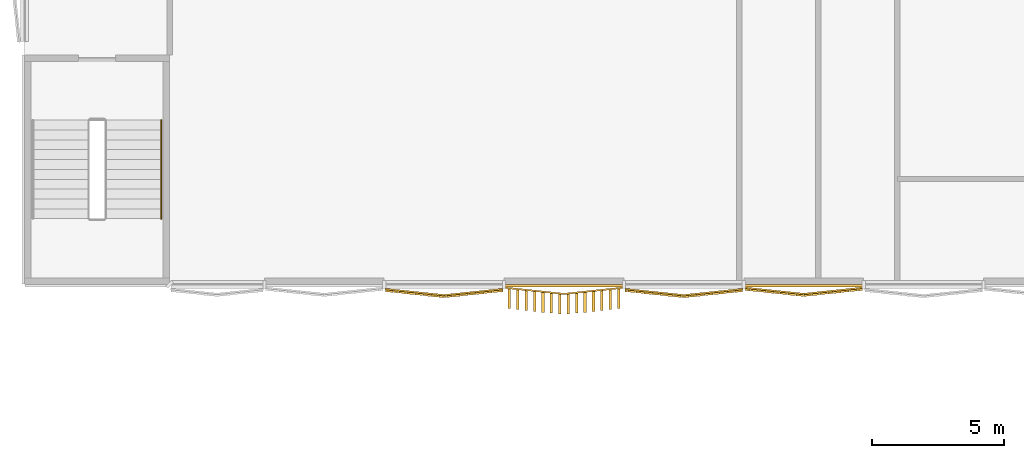
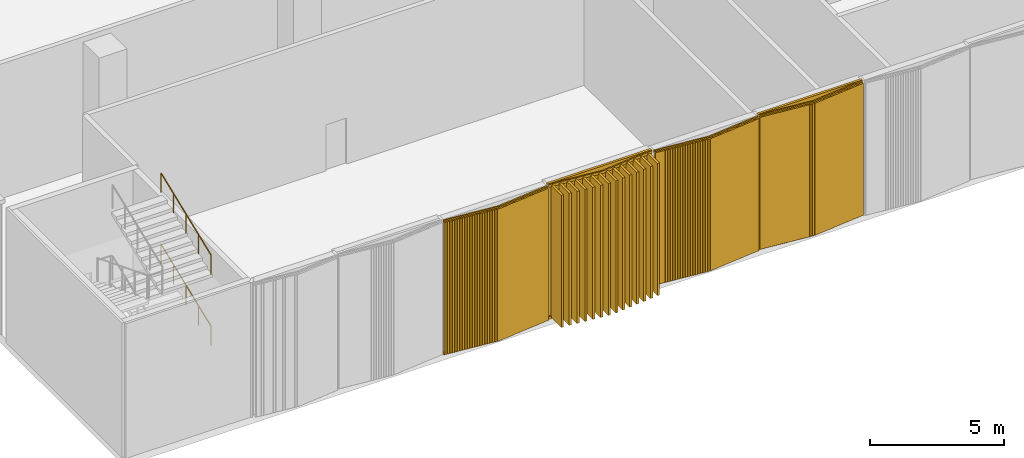
# One storey, part 21 of 32: 6 coverings, 2 railings.
"""IFC4 building model written with IfcOpenShell, lengths in metres."""

from ifc_helpers import new_model, si_unit, direction, frame, frame_2d, origin, origin_2d, place, context, subcontext, project, spatial, rectangle, circle, extrude, source, transform, mapped, material, layer, layer_set, type_object, element, save


model = new_model("IFC4")

# Units and contexts
model_context = context("Model", 3, precision=1e-05, world=origin(), true_north=direction((0.0, 1.0)))
body_context = subcontext(model_context, "Body", "Model", "MODEL_VIEW")
ifc_project = project(units=[si_unit("LENGTHUNIT", "METRE"), si_unit("AREAUNIT", "SQUARE_METRE"), si_unit("VOLUMEUNIT", "CUBIC_METRE"), si_unit("PLANEANGLEUNIT", "RADIAN"), si_unit("MASSUNIT", "GRAM", prefix="KILO")], contexts=[model_context])

# Site, building, storey
site_placement = place(None, origin())
site = spatial("IfcSite", under=ifc_project, at=site_placement, CompositionType="ELEMENT")
building_placement = place(site_placement, origin())
building = spatial("IfcBuilding", under=site, at=building_placement, Name="Tamra Quay Hotel Tower", CompositionType="ELEMENT")
storey_placement = place(building_placement, frame((0.0, 0.0, 7.5)))
storey = spatial("IfcBuildingStorey", under=building, at=storey_placement, Name="L01", CompositionType="ELEMENT", Elevation=7.5)

# Coverings
ifc_material_1 = material(Name="Precast concrete M60 terracotta-coloured pierced relief", Category="masonry")
ifc_layer = layer(ifc_material_1, 0.10009765625)
ifc_layer_set = layer_set([ifc_layer], Name="PIERCED RELIEF PANEL 100")
covering_type_1 = type_object("IfcCoveringType", Name="PIERCED RELIEF PANEL 100", PredefinedType="CLADDING", material=ifc_layer_set)
for number, where, z_axis, x_axis, name in (
    (1, (-68.642333984375, -32.050048828125, 0.0), (0.0, 0.0, 1.0), (1.0, 0.0, 0.0), "Relief panel L01.SW.14"),
    (2, (-59.550048828125, -32.050048828125, 0.0), (0.0, 0.0, 1.0), (1.0, 0.0, 0.0), "Relief panel L01.SW.16"),
):
    element("IfcCovering", number, at=place(storey_placement, frame(where, z_axis=z_axis, x_axis=x_axis)), inside=storey, type_object=covering_type_1, Name=name, PredefinedType="CLADDING", context=body_context, shape_type="SweptSolid", body=[
        extrude(rectangle(XDim=4.526123046875, YDim=0.10009765625, at=origin_2d()), origin(), (0.0, 0.0, 1.0), 6.14990234375),
    ])

# Railings
ifc_material_2 = material(Name="Stair handrail 900")
railing_type = type_object("IfcRailingType", Name="Stair handrail 900", PredefinedType="HANDRAIL", material=ifc_material_2)
for number, where, name in (
    (3, (-83.919921875, -29.510009765625, 1.772705078125), "HR"),
    (4, (-83.919921875, -29.510009765625, 5.022705078125), "HR"),
):
    element("IfcRailing", number, at=place(storey_placement, frame(where)), inside=storey, type_object=railing_type, Name=name, PredefinedType="HANDRAIL", context=body_context, shape_type="SweptSolid", body=[
        extrude(circle(Radius=0.02392578125, at=origin_2d()), frame((0.0, 0.0, 0.8759765625), z_axis=(0.0, 0.930071711533, 0.367378022487), x_axis=(-1.0, 0.0, 0.0)), (0.0, 0.0, 1.0), 4.021240234375),
        extrude(circle(Radius=0.02099609375, at=origin_2d()), origin(), (0.0, 0.0, 1.0), 0.851806640625),
        extrude(circle(Radius=0.02099609375, at=origin_2d()), frame((0.0, 0.93505859375, 0.369384765625)), (0.0, 0.0, 1.0), 0.851806640625),
        extrude(circle(Radius=0.02099609375, at=origin_2d()), frame((0.0, 1.8701171875, 0.73876953125)), (0.0, 0.0, 1.0), 0.851806640625),
        extrude(circle(Radius=0.02099609375, at=origin_2d()), frame((0.0, 2.804931640625, 1.10791015625)), (0.0, 0.0, 1.0), 0.851806640625),
        extrude(circle(Radius=0.02099609375, at=origin_2d()), frame((0.0, 3.739990234375, 1.477294921875)), (0.0, 0.0, 1.0), 0.851806640625),
    ])

# Coverings
ifc_material_3 = material(Name="Terracotta baguette extruded", Category="masonry")
covering_type_2 = type_object("IfcCoveringType", Name="BAGUETTE SCREEN PODIUM-SHALLOW H6150", PredefinedType="USERDEFINED", material=ifc_material_3)
shared_shape_1 = source(origin(), body_context, "Body", "SweptSolid", [
    extrude(rectangle(XDim=2.244873046875, YDim=0.06005859375, at=frame_2d((1.12255859375, 0.030029296875))), frame((-2.23876953125, -0.0576171875, -0.1201171875), z_axis=(0.0, 0.0, 1.0), x_axis=(0.994521895368, -0.104528463268, 0.0)), (0.0, 0.0, 1.0), 0.1201171875),
    extrude(rectangle(XDim=2.244873046875, YDim=0.06005859375, at=frame_2d((1.12255859375, 0.030029296875))), frame((-2.23876953125, -0.0576171875, -6.14990234375), z_axis=(0.0, 0.0, 1.0), x_axis=(0.994521895368, -0.104528463268, 0.0)), (0.0, 0.0, 1.0), 0.1201171875),
    extrude(rectangle(XDim=0.094970703125, YDim=0.10009765625, at=frame_2d((0.04736328125, 0.050048828125))), frame((-2.229248046875, -0.13330078125, -6.090087890625)), (0.0, 0.0, 1.0), 6.030029296875),
    extrude(rectangle(XDim=0.094970703125, YDim=0.10009765625, at=frame_2d((0.04736328125, 0.050048828125))), frame((-2.127685546875, -0.14404296875, -6.090087890625)), (0.0, 0.0, 1.0), 6.030029296875),
    extrude(rectangle(XDim=0.094970703125, YDim=0.10009765625, at=frame_2d((0.04736328125, 0.050048828125))), frame((-2.0263671875, -0.154541015625, -6.090087890625)), (0.0, 0.0, 1.0), 6.030029296875),
    extrude(rectangle(XDim=0.094970703125, YDim=0.10009765625, at=frame_2d((0.04736328125, 0.050048828125))), frame((-1.9248046875, -0.165283203125, -6.090087890625)), (0.0, 0.0, 1.0), 6.030029296875),
    extrude(rectangle(XDim=0.094970703125, YDim=0.10009765625, at=frame_2d((0.04736328125, 0.050048828125))), frame((-1.8232421875, -0.176025390625, -6.090087890625)), (0.0, 0.0, 1.0), 6.030029296875),
    extrude(rectangle(XDim=0.094970703125, YDim=0.10009765625, at=frame_2d((0.04736328125, 0.050048828125))), frame((-1.721923828125, -0.186767578125, -6.090087890625)), (0.0, 0.0, 1.0), 6.030029296875),
    extrude(rectangle(XDim=0.094970703125, YDim=0.10009765625, at=frame_2d((0.04736328125, 0.050048828125))), frame((-1.620361328125, -0.197265625, -6.090087890625)), (0.0, 0.0, 1.0), 6.030029296875),
    extrude(rectangle(XDim=0.094970703125, YDim=0.10009765625, at=frame_2d((0.04736328125, 0.050048828125))), frame((-1.518798828125, -0.2080078125, -6.090087890625)), (0.0, 0.0, 1.0), 6.030029296875),
    extrude(rectangle(XDim=0.094970703125, YDim=0.10009765625, at=frame_2d((0.04736328125, 0.050048828125))), frame((-1.41748046875, -0.21875, -6.090087890625)), (0.0, 0.0, 1.0), 6.030029296875),
    extrude(rectangle(XDim=0.094970703125, YDim=0.10009765625, at=frame_2d((0.04736328125, 0.050048828125))), frame((-1.31591796875, -0.229248046875, -6.090087890625)), (0.0, 0.0, 1.0), 6.030029296875),
    extrude(rectangle(XDim=0.094970703125, YDim=0.10009765625, at=frame_2d((0.04736328125, 0.050048828125))), frame((-1.214599609375, -0.239990234375, -6.090087890625)), (0.0, 0.0, 1.0), 6.030029296875),
    extrude(rectangle(XDim=0.094970703125, YDim=0.10009765625, at=frame_2d((0.04736328125, 0.050048828125))), frame((-1.113037109375, -0.250732421875, -6.090087890625)), (0.0, 0.0, 1.0), 6.030029296875),
    extrude(rectangle(XDim=0.094970703125, YDim=0.10009765625, at=frame_2d((0.04736328125, 0.050048828125))), frame((-1.011474609375, -0.26123046875, -6.090087890625)), (0.0, 0.0, 1.0), 6.030029296875),
    extrude(rectangle(XDim=0.094970703125, YDim=0.10009765625, at=frame_2d((0.04736328125, 0.050048828125))), frame((-0.91015625, -0.27197265625, -6.090087890625)), (0.0, 0.0, 1.0), 6.030029296875),
    extrude(rectangle(XDim=0.094970703125, YDim=0.10009765625, at=frame_2d((0.04736328125, 0.050048828125))), frame((-0.80859375, -0.28271484375, -6.090087890625)), (0.0, 0.0, 1.0), 6.030029296875),
    extrude(rectangle(XDim=0.094970703125, YDim=0.10009765625, at=frame_2d((0.04736328125, 0.050048828125))), frame((-0.70703125, -0.293212890625, -6.090087890625)), (0.0, 0.0, 1.0), 6.030029296875),
    extrude(rectangle(XDim=0.094970703125, YDim=0.10009765625, at=frame_2d((0.04736328125, 0.050048828125))), frame((-0.605712890625, -0.303955078125, -6.090087890625)), (0.0, 0.0, 1.0), 6.030029296875),
    extrude(rectangle(XDim=0.094970703125, YDim=0.10009765625, at=frame_2d((0.04736328125, 0.050048828125))), frame((-0.504150390625, -0.314697265625, -6.090087890625)), (0.0, 0.0, 1.0), 6.030029296875),
    extrude(rectangle(XDim=0.094970703125, YDim=0.10009765625, at=frame_2d((0.04736328125, 0.050048828125))), frame((-0.402587890625, -0.325439453125, -6.090087890625)), (0.0, 0.0, 1.0), 6.030029296875),
    extrude(rectangle(XDim=0.094970703125, YDim=0.10009765625, at=frame_2d((0.04736328125, 0.050048828125))), frame((-0.30126953125, -0.3359375, -6.090087890625)), (0.0, 0.0, 1.0), 6.030029296875),
    extrude(rectangle(XDim=0.094970703125, YDim=0.10009765625, at=frame_2d((0.04736328125, 0.050048828125))), frame((-0.19970703125, -0.3466796875, -6.090087890625)), (0.0, 0.0, 1.0), 6.030029296875),
    extrude(rectangle(XDim=0.094970703125, YDim=0.10009765625, at=frame_2d((0.04736328125, 0.050048828125))), frame((-0.09814453125, -0.357421875, -6.090087890625)), (0.0, 0.0, 1.0), 6.030029296875),
    extrude(rectangle(XDim=2.244873046875, YDim=0.06005859375, at=frame_2d((1.12255859375, 0.030029296875))), frame((0.00634765625, -0.292236328125, -0.1201171875), z_axis=(0.0, 0.0, 1.0), x_axis=(0.994521895368, 0.104528463268, 0.0)), (0.0, 0.0, 1.0), 0.1201171875),
    extrude(rectangle(XDim=2.244873046875, YDim=0.06005859375, at=frame_2d((1.12255859375, 0.030029296875))), frame((0.00634765625, -0.292236328125, -6.14990234375), z_axis=(0.0, 0.0, 1.0), x_axis=(0.994521895368, 0.104528463268, 0.0)), (0.0, 0.0, 1.0), 0.1201171875),
    extrude(rectangle(XDim=0.094970703125, YDim=0.10009765625, at=frame_2d((0.04736328125, 0.050048828125))), frame((0.003173828125, -0.357421875, -6.090087890625)), (0.0, 0.0, 1.0), 6.030029296875),
    extrude(rectangle(XDim=0.094970703125, YDim=0.10009765625, at=frame_2d((0.04736328125, 0.050048828125))), frame((0.104736328125, -0.3466796875, -6.090087890625)), (0.0, 0.0, 1.0), 6.030029296875),
    extrude(rectangle(XDim=0.094970703125, YDim=0.10009765625, at=frame_2d((0.04736328125, 0.050048828125))), frame((0.206298828125, -0.3359375, -6.090087890625)), (0.0, 0.0, 1.0), 6.030029296875),
    extrude(rectangle(XDim=0.094970703125, YDim=0.10009765625, at=frame_2d((0.04736328125, 0.050048828125))), frame((0.3076171875, -0.325439453125, -6.090087890625)), (0.0, 0.0, 1.0), 6.030029296875),
    extrude(rectangle(XDim=0.094970703125, YDim=0.10009765625, at=frame_2d((0.04736328125, 0.050048828125))), frame((0.4091796875, -0.314697265625, -6.090087890625)), (0.0, 0.0, 1.0), 6.030029296875),
    extrude(rectangle(XDim=0.094970703125, YDim=0.10009765625, at=frame_2d((0.04736328125, 0.050048828125))), frame((0.510498046875, -0.303955078125, -6.090087890625)), (0.0, 0.0, 1.0), 6.030029296875),
    extrude(rectangle(XDim=0.094970703125, YDim=0.10009765625, at=frame_2d((0.04736328125, 0.050048828125))), frame((0.612060546875, -0.293212890625, -6.090087890625)), (0.0, 0.0, 1.0), 6.030029296875),
    extrude(rectangle(XDim=0.094970703125, YDim=0.10009765625, at=frame_2d((0.04736328125, 0.050048828125))), frame((0.713623046875, -0.28271484375, -6.090087890625)), (0.0, 0.0, 1.0), 6.030029296875),
    extrude(rectangle(XDim=0.094970703125, YDim=0.10009765625, at=frame_2d((0.04736328125, 0.050048828125))), frame((0.81494140625, -0.27197265625, -6.090087890625)), (0.0, 0.0, 1.0), 6.030029296875),
    extrude(rectangle(XDim=0.094970703125, YDim=0.10009765625, at=frame_2d((0.04736328125, 0.050048828125))), frame((0.91650390625, -0.26123046875, -6.090087890625)), (0.0, 0.0, 1.0), 6.030029296875),
    extrude(rectangle(XDim=0.094970703125, YDim=0.10009765625, at=frame_2d((0.04736328125, 0.050048828125))), frame((1.01806640625, -0.250732421875, -6.090087890625)), (0.0, 0.0, 1.0), 6.030029296875),
    extrude(rectangle(XDim=0.094970703125, YDim=0.10009765625, at=frame_2d((0.04736328125, 0.050048828125))), frame((1.119384765625, -0.239990234375, -6.090087890625)), (0.0, 0.0, 1.0), 6.030029296875),
    extrude(rectangle(XDim=0.094970703125, YDim=0.10009765625, at=frame_2d((0.04736328125, 0.050048828125))), frame((1.220947265625, -0.229248046875, -6.090087890625)), (0.0, 0.0, 1.0), 6.030029296875),
    extrude(rectangle(XDim=0.094970703125, YDim=0.10009765625, at=frame_2d((0.04736328125, 0.050048828125))), frame((1.322509765625, -0.21875, -6.090087890625)), (0.0, 0.0, 1.0), 6.030029296875),
    extrude(rectangle(XDim=0.094970703125, YDim=0.10009765625, at=frame_2d((0.04736328125, 0.050048828125))), frame((1.423828125, -0.2080078125, -6.090087890625)), (0.0, 0.0, 1.0), 6.030029296875),
    extrude(rectangle(XDim=0.094970703125, YDim=0.10009765625, at=frame_2d((0.04736328125, 0.050048828125))), frame((1.525390625, -0.197265625, -6.090087890625)), (0.0, 0.0, 1.0), 6.030029296875),
    extrude(rectangle(XDim=0.094970703125, YDim=0.10009765625, at=frame_2d((0.04736328125, 0.050048828125))), frame((1.626953125, -0.186767578125, -6.090087890625)), (0.0, 0.0, 1.0), 6.030029296875),
    extrude(rectangle(XDim=0.094970703125, YDim=0.10009765625, at=frame_2d((0.04736328125, 0.050048828125))), frame((1.728271484375, -0.176025390625, -6.090087890625)), (0.0, 0.0, 1.0), 6.030029296875),
    extrude(rectangle(XDim=0.094970703125, YDim=0.10009765625, at=frame_2d((0.04736328125, 0.050048828125))), frame((1.829833984375, -0.165283203125, -6.090087890625)), (0.0, 0.0, 1.0), 6.030029296875),
    extrude(rectangle(XDim=0.094970703125, YDim=0.10009765625, at=frame_2d((0.04736328125, 0.050048828125))), frame((1.931396484375, -0.154541015625, -6.090087890625)), (0.0, 0.0, 1.0), 6.030029296875),
    extrude(rectangle(XDim=0.094970703125, YDim=0.10009765625, at=frame_2d((0.04736328125, 0.050048828125))), frame((2.03271484375, -0.14404296875, -6.090087890625)), (0.0, 0.0, 1.0), 6.030029296875),
    extrude(rectangle(XDim=0.094970703125, YDim=0.10009765625, at=frame_2d((0.04736328125, 0.050048828125))), frame((2.13427734375, -0.13330078125, -6.090087890625)), (0.0, 0.0, 1.0), 6.030029296875),
])
for number, where, z_axis, x_axis, name in (
    (5, (-73.1884765625, -32.14794921875, 6.14990234375), (0.0, 0.0, 1.0), (1.0, 0.0, 0.0), "Baguette screen L01.SW.f01"),
    (6, (-64.09619140625, -32.14794921875, 6.14990234375), (0.0, 0.0, 1.0), (1.0, 0.0, 0.0), "Baguette screen L01.SW.f02"),
):
    element("IfcCovering", number, at=place(storey_placement, frame(where, z_axis=z_axis, x_axis=x_axis)), inside=storey, type_object=covering_type_2, Name=name, ObjectType="BAGUETTE SCREEN", PredefinedType="USERDEFINED", context=body_context, shape_type="MappedRepresentation", body=[
        mapped(shared_shape_1, transform((0.0, 0.0, 0.0), scale=1.0)),
    ])
covering_type_3 = type_object("IfcCoveringType", Name="BAGUETTE SCREEN SW-SHALLOW H6150", PredefinedType="USERDEFINED", material=ifc_material_3)
shared_shape_2 = source(origin(), body_context, "Body", "SweptSolid", [
    extrude(rectangle(XDim=2.244873046875, YDim=0.06005859375, at=frame_2d((1.12255859375, 0.030029296875))), frame((-2.23876953125, -0.0576171875, -0.1201171875), z_axis=(0.0, 0.0, 1.0), x_axis=(0.994521895368, -0.104528463268, 0.0)), (0.0, 0.0, 1.0), 0.1201171875),
    extrude(rectangle(XDim=2.244873046875, YDim=0.06005859375, at=frame_2d((1.12255859375, 0.030029296875))), frame((-2.23876953125, -0.0576171875, -6.14990234375), z_axis=(0.0, 0.0, 1.0), x_axis=(0.994521895368, -0.104528463268, 0.0)), (0.0, 0.0, 1.0), 0.1201171875),
    extrude(rectangle(XDim=0.094970703125, YDim=0.10009765625, at=frame_2d((0.04736328125, 0.050048828125))), frame((-2.229248046875, -0.13330078125, -6.090087890625)), (0.0, 0.0, 1.0), 6.030029296875),
    extrude(rectangle(XDim=0.094970703125, YDim=0.10009765625, at=frame_2d((0.04736328125, 0.050048828125))), frame((-2.127685546875, -0.14404296875, -6.090087890625)), (0.0, 0.0, 1.0), 6.030029296875),
    extrude(rectangle(XDim=0.094970703125, YDim=0.10009765625, at=frame_2d((0.04736328125, 0.050048828125))), frame((-2.0263671875, -0.154541015625, -6.090087890625)), (0.0, 0.0, 1.0), 6.030029296875),
    extrude(rectangle(XDim=0.094970703125, YDim=0.10009765625, at=frame_2d((0.04736328125, 0.050048828125))), frame((-1.9248046875, -0.165283203125, -6.090087890625)), (0.0, 0.0, 1.0), 6.030029296875),
    extrude(rectangle(XDim=0.094970703125, YDim=0.10009765625, at=frame_2d((0.04736328125, 0.050048828125))), frame((-1.8232421875, -0.176025390625, -6.090087890625)), (0.0, 0.0, 1.0), 6.030029296875),
    extrude(rectangle(XDim=0.094970703125, YDim=0.10009765625, at=frame_2d((0.04736328125, 0.050048828125))), frame((-1.721923828125, -0.186767578125, -6.090087890625)), (0.0, 0.0, 1.0), 6.030029296875),
    extrude(rectangle(XDim=0.094970703125, YDim=0.10009765625, at=frame_2d((0.04736328125, 0.050048828125))), frame((-1.620361328125, -0.197265625, -6.090087890625)), (0.0, 0.0, 1.0), 6.030029296875),
    extrude(rectangle(XDim=0.094970703125, YDim=0.10009765625, at=frame_2d((0.04736328125, 0.050048828125))), frame((-1.518798828125, -0.2080078125, -6.090087890625)), (0.0, 0.0, 1.0), 6.030029296875),
    extrude(rectangle(XDim=0.094970703125, YDim=0.10009765625, at=frame_2d((0.04736328125, 0.050048828125))), frame((-1.41748046875, -0.21875, -6.090087890625)), (0.0, 0.0, 1.0), 6.030029296875),
    extrude(rectangle(XDim=0.094970703125, YDim=0.10009765625, at=frame_2d((0.04736328125, 0.050048828125))), frame((-1.31591796875, -0.229248046875, -6.090087890625)), (0.0, 0.0, 1.0), 6.030029296875),
    extrude(rectangle(XDim=0.094970703125, YDim=0.10009765625, at=frame_2d((0.04736328125, 0.050048828125))), frame((-1.214599609375, -0.239990234375, -6.090087890625)), (0.0, 0.0, 1.0), 6.030029296875),
    extrude(rectangle(XDim=0.094970703125, YDim=0.10009765625, at=frame_2d((0.04736328125, 0.050048828125))), frame((-1.113037109375, -0.250732421875, -6.090087890625)), (0.0, 0.0, 1.0), 6.030029296875),
    extrude(rectangle(XDim=0.094970703125, YDim=0.10009765625, at=frame_2d((0.04736328125, 0.050048828125))), frame((-1.011474609375, -0.26123046875, -6.090087890625)), (0.0, 0.0, 1.0), 6.030029296875),
    extrude(rectangle(XDim=0.094970703125, YDim=0.10009765625, at=frame_2d((0.04736328125, 0.050048828125))), frame((-0.91015625, -0.27197265625, -6.090087890625)), (0.0, 0.0, 1.0), 6.030029296875),
    extrude(rectangle(XDim=0.094970703125, YDim=0.10009765625, at=frame_2d((0.04736328125, 0.050048828125))), frame((-0.80859375, -0.28271484375, -6.090087890625)), (0.0, 0.0, 1.0), 6.030029296875),
    extrude(rectangle(XDim=0.094970703125, YDim=0.10009765625, at=frame_2d((0.04736328125, 0.050048828125))), frame((-0.70703125, -0.293212890625, -6.090087890625)), (0.0, 0.0, 1.0), 6.030029296875),
    extrude(rectangle(XDim=0.094970703125, YDim=0.10009765625, at=frame_2d((0.04736328125, 0.050048828125))), frame((-0.605712890625, -0.303955078125, -6.090087890625)), (0.0, 0.0, 1.0), 6.030029296875),
    extrude(rectangle(XDim=0.094970703125, YDim=0.10009765625, at=frame_2d((0.04736328125, 0.050048828125))), frame((-0.504150390625, -0.314697265625, -6.090087890625)), (0.0, 0.0, 1.0), 6.030029296875),
    extrude(rectangle(XDim=0.094970703125, YDim=0.10009765625, at=frame_2d((0.04736328125, 0.050048828125))), frame((-0.402587890625, -0.325439453125, -6.090087890625)), (0.0, 0.0, 1.0), 6.030029296875),
    extrude(rectangle(XDim=0.094970703125, YDim=0.10009765625, at=frame_2d((0.04736328125, 0.050048828125))), frame((-0.30126953125, -0.3359375, -6.090087890625)), (0.0, 0.0, 1.0), 6.030029296875),
    extrude(rectangle(XDim=0.094970703125, YDim=0.10009765625, at=frame_2d((0.04736328125, 0.050048828125))), frame((-0.19970703125, -0.3466796875, -6.090087890625)), (0.0, 0.0, 1.0), 6.030029296875),
    extrude(rectangle(XDim=0.094970703125, YDim=0.10009765625, at=frame_2d((0.04736328125, 0.050048828125))), frame((-0.09814453125, -0.357421875, -6.090087890625)), (0.0, 0.0, 1.0), 6.030029296875),
    extrude(rectangle(XDim=2.244873046875, YDim=0.06005859375, at=frame_2d((1.12255859375, 0.030029296875))), frame((0.00634765625, -0.292236328125, -0.1201171875), z_axis=(0.0, 0.0, 1.0), x_axis=(0.994521895368, 0.104528463268, 0.0)), (0.0, 0.0, 1.0), 0.1201171875),
    extrude(rectangle(XDim=2.244873046875, YDim=0.06005859375, at=frame_2d((1.12255859375, 0.030029296875))), frame((0.00634765625, -0.292236328125, -6.14990234375), z_axis=(0.0, 0.0, 1.0), x_axis=(0.994521895368, 0.104528463268, 0.0)), (0.0, 0.0, 1.0), 0.1201171875),
    extrude(rectangle(XDim=0.094970703125, YDim=0.10009765625, at=frame_2d((0.04736328125, 0.050048828125))), frame((0.003173828125, -0.357421875, -6.090087890625)), (0.0, 0.0, 1.0), 6.030029296875),
    extrude(rectangle(XDim=0.094970703125, YDim=0.10009765625, at=frame_2d((0.04736328125, 0.050048828125))), frame((0.104736328125, -0.3466796875, -6.090087890625)), (0.0, 0.0, 1.0), 6.030029296875),
    extrude(rectangle(XDim=0.094970703125, YDim=0.10009765625, at=frame_2d((0.04736328125, 0.050048828125))), frame((0.206298828125, -0.3359375, -6.090087890625)), (0.0, 0.0, 1.0), 6.030029296875),
    extrude(rectangle(XDim=0.094970703125, YDim=0.10009765625, at=frame_2d((0.04736328125, 0.050048828125))), frame((0.3076171875, -0.325439453125, -6.090087890625)), (0.0, 0.0, 1.0), 6.030029296875),
    extrude(rectangle(XDim=0.094970703125, YDim=0.10009765625, at=frame_2d((0.04736328125, 0.050048828125))), frame((0.4091796875, -0.314697265625, -6.090087890625)), (0.0, 0.0, 1.0), 6.030029296875),
    extrude(rectangle(XDim=0.094970703125, YDim=0.10009765625, at=frame_2d((0.04736328125, 0.050048828125))), frame((0.510498046875, -0.303955078125, -6.090087890625)), (0.0, 0.0, 1.0), 6.030029296875),
    extrude(rectangle(XDim=0.094970703125, YDim=0.10009765625, at=frame_2d((0.04736328125, 0.050048828125))), frame((0.612060546875, -0.293212890625, -6.090087890625)), (0.0, 0.0, 1.0), 6.030029296875),
    extrude(rectangle(XDim=0.094970703125, YDim=0.10009765625, at=frame_2d((0.04736328125, 0.050048828125))), frame((0.713623046875, -0.28271484375, -6.090087890625)), (0.0, 0.0, 1.0), 6.030029296875),
    extrude(rectangle(XDim=0.094970703125, YDim=0.10009765625, at=frame_2d((0.04736328125, 0.050048828125))), frame((0.81494140625, -0.27197265625, -6.090087890625)), (0.0, 0.0, 1.0), 6.030029296875),
    extrude(rectangle(XDim=0.094970703125, YDim=0.10009765625, at=frame_2d((0.04736328125, 0.050048828125))), frame((0.91650390625, -0.26123046875, -6.090087890625)), (0.0, 0.0, 1.0), 6.030029296875),
    extrude(rectangle(XDim=0.094970703125, YDim=0.10009765625, at=frame_2d((0.04736328125, 0.050048828125))), frame((1.01806640625, -0.250732421875, -6.090087890625)), (0.0, 0.0, 1.0), 6.030029296875),
    extrude(rectangle(XDim=0.094970703125, YDim=0.10009765625, at=frame_2d((0.04736328125, 0.050048828125))), frame((1.119384765625, -0.239990234375, -6.090087890625)), (0.0, 0.0, 1.0), 6.030029296875),
    extrude(rectangle(XDim=0.094970703125, YDim=0.10009765625, at=frame_2d((0.04736328125, 0.050048828125))), frame((1.220947265625, -0.229248046875, -6.090087890625)), (0.0, 0.0, 1.0), 6.030029296875),
    extrude(rectangle(XDim=0.094970703125, YDim=0.10009765625, at=frame_2d((0.04736328125, 0.050048828125))), frame((1.322509765625, -0.21875, -6.090087890625)), (0.0, 0.0, 1.0), 6.030029296875),
    extrude(rectangle(XDim=0.094970703125, YDim=0.10009765625, at=frame_2d((0.04736328125, 0.050048828125))), frame((1.423828125, -0.2080078125, -6.090087890625)), (0.0, 0.0, 1.0), 6.030029296875),
    extrude(rectangle(XDim=0.094970703125, YDim=0.10009765625, at=frame_2d((0.04736328125, 0.050048828125))), frame((1.525390625, -0.197265625, -6.090087890625)), (0.0, 0.0, 1.0), 6.030029296875),
    extrude(rectangle(XDim=0.094970703125, YDim=0.10009765625, at=frame_2d((0.04736328125, 0.050048828125))), frame((1.626953125, -0.186767578125, -6.090087890625)), (0.0, 0.0, 1.0), 6.030029296875),
    extrude(rectangle(XDim=0.094970703125, YDim=0.10009765625, at=frame_2d((0.04736328125, 0.050048828125))), frame((1.728271484375, -0.176025390625, -6.090087890625)), (0.0, 0.0, 1.0), 6.030029296875),
    extrude(rectangle(XDim=0.094970703125, YDim=0.10009765625, at=frame_2d((0.04736328125, 0.050048828125))), frame((1.829833984375, -0.165283203125, -6.090087890625)), (0.0, 0.0, 1.0), 6.030029296875),
    extrude(rectangle(XDim=0.094970703125, YDim=0.10009765625, at=frame_2d((0.04736328125, 0.050048828125))), frame((1.931396484375, -0.154541015625, -6.090087890625)), (0.0, 0.0, 1.0), 6.030029296875),
    extrude(rectangle(XDim=0.094970703125, YDim=0.10009765625, at=frame_2d((0.04736328125, 0.050048828125))), frame((2.03271484375, -0.14404296875, -6.090087890625)), (0.0, 0.0, 1.0), 6.030029296875),
    extrude(rectangle(XDim=0.094970703125, YDim=0.10009765625, at=frame_2d((0.04736328125, 0.050048828125))), frame((2.13427734375, -0.13330078125, -6.090087890625)), (0.0, 0.0, 1.0), 6.030029296875),
])
covering_1_placement = place(storey_placement, frame((-59.550048828125, -32.10009765625, 6.14990234375), z_axis=(0.0, 0.0, 1.0), x_axis=(1.0, 0.0, 0.0)))
element("IfcCovering", 7, at=covering_1_placement, inside=storey, type_object=covering_type_3, Name="Baguette screen wing.L01.SW.16", ObjectType="BAGUETTE SCREEN", PredefinedType="USERDEFINED", context=body_context, shape_type="MappedRepresentation", body=[
    mapped(shared_shape_2, transform((0.0, 0.0, 0.0), scale=1.0)),
])
covering_type_4 = type_object("IfcCoveringType", Name="BAGUETTE SCREEN SW-DEEP H6150", PredefinedType="USERDEFINED", material=ifc_material_3)
shared_shape_3 = source(origin(), body_context, "Body", "SweptSolid", [
    extrude(rectangle(XDim=2.244873046875, YDim=0.06005859375, at=frame_2d((1.12255859375, 0.030029296875))), frame((-2.23876953125, -0.0576171875, -0.1201171875), z_axis=(0.0, 0.0, 1.0), x_axis=(0.994521895368, -0.104528463268, 0.0)), (0.0, 0.0, 1.0), 0.1201171875),
    extrude(rectangle(XDim=2.244873046875, YDim=0.06005859375, at=frame_2d((1.12255859375, 0.030029296875))), frame((-2.23876953125, -0.0576171875, -6.14990234375), z_axis=(0.0, 0.0, 1.0), x_axis=(0.994521895368, -0.104528463268, 0.0)), (0.0, 0.0, 1.0), 0.1201171875),
    extrude(rectangle(XDim=0.10009765625, YDim=0.780029296875, at=frame_2d((0.050048828125, 0.39013671875))), frame((-2.123046875, -0.82470703125, -6.090087890625)), (0.0, 0.0, 1.0), 6.030029296875),
    extrude(rectangle(XDim=0.10009765625, YDim=0.780029296875, at=frame_2d((0.050048828125, 0.39013671875))), frame((-1.80419921875, -0.8583984375, -6.090087890625)), (0.0, 0.0, 1.0), 6.030029296875),
    extrude(rectangle(XDim=0.10009765625, YDim=0.780029296875, at=frame_2d((0.050048828125, 0.39013671875))), frame((-1.485107421875, -0.891845703125, -6.090087890625)), (0.0, 0.0, 1.0), 6.030029296875),
    extrude(rectangle(XDim=0.10009765625, YDim=0.780029296875, at=frame_2d((0.050048828125, 0.39013671875))), frame((-1.166259765625, -0.92529296875, -6.090087890625)), (0.0, 0.0, 1.0), 6.030029296875),
    extrude(rectangle(XDim=0.10009765625, YDim=0.780029296875, at=frame_2d((0.050048828125, 0.39013671875))), frame((-0.847412109375, -0.958740234375, -6.090087890625)), (0.0, 0.0, 1.0), 6.030029296875),
    extrude(rectangle(XDim=0.10009765625, YDim=0.780029296875, at=frame_2d((0.050048828125, 0.39013671875))), frame((-0.5283203125, -0.992431640625, -6.090087890625)), (0.0, 0.0, 1.0), 6.030029296875),
    extrude(rectangle(XDim=0.10009765625, YDim=0.780029296875, at=frame_2d((0.050048828125, 0.39013671875))), frame((-0.20947265625, -1.02587890625, -6.090087890625)), (0.0, 0.0, 1.0), 6.030029296875),
    extrude(rectangle(XDim=2.244873046875, YDim=0.06005859375, at=frame_2d((1.12255859375, 0.030029296875))), frame((0.00634765625, -0.292236328125, -0.1201171875), z_axis=(0.0, 0.0, 1.0), x_axis=(0.994521895368, 0.104528463268, 0.0)), (0.0, 0.0, 1.0), 0.1201171875),
    extrude(rectangle(XDim=2.244873046875, YDim=0.06005859375, at=frame_2d((1.12255859375, 0.030029296875))), frame((0.00634765625, -0.292236328125, -6.14990234375), z_axis=(0.0, 0.0, 1.0), x_axis=(0.994521895368, 0.104528463268, 0.0)), (0.0, 0.0, 1.0), 0.1201171875),
    extrude(rectangle(XDim=0.10009765625, YDim=0.780029296875, at=frame_2d((0.050048828125, 0.39013671875))), frame((0.109375, -1.02587890625, -6.090087890625)), (0.0, 0.0, 1.0), 6.030029296875),
    extrude(rectangle(XDim=0.10009765625, YDim=0.780029296875, at=frame_2d((0.050048828125, 0.39013671875))), frame((0.428466796875, -0.992431640625, -6.090087890625)), (0.0, 0.0, 1.0), 6.030029296875),
    extrude(rectangle(XDim=0.10009765625, YDim=0.780029296875, at=frame_2d((0.050048828125, 0.39013671875))), frame((0.747314453125, -0.958740234375, -6.090087890625)), (0.0, 0.0, 1.0), 6.030029296875),
    extrude(rectangle(XDim=0.10009765625, YDim=0.780029296875, at=frame_2d((0.050048828125, 0.39013671875))), frame((1.066162109375, -0.92529296875, -6.090087890625)), (0.0, 0.0, 1.0), 6.030029296875),
    extrude(rectangle(XDim=0.10009765625, YDim=0.780029296875, at=frame_2d((0.050048828125, 0.39013671875))), frame((1.38525390625, -0.891845703125, -6.090087890625)), (0.0, 0.0, 1.0), 6.030029296875),
    extrude(rectangle(XDim=0.10009765625, YDim=0.780029296875, at=frame_2d((0.050048828125, 0.39013671875))), frame((1.7041015625, -0.8583984375, -6.090087890625)), (0.0, 0.0, 1.0), 6.030029296875),
    extrude(rectangle(XDim=0.10009765625, YDim=0.780029296875, at=frame_2d((0.050048828125, 0.39013671875))), frame((2.02294921875, -0.82470703125, -6.090087890625)), (0.0, 0.0, 1.0), 6.030029296875),
])
covering_2_placement = place(storey_placement, frame((-68.642333984375, -32.10009765625, 6.14990234375), z_axis=(0.0, 0.0, 1.0), x_axis=(1.0, 0.0, 0.0)))
element("IfcCovering", 8, at=covering_2_placement, inside=storey, type_object=covering_type_4, Name="Baguette screen wing.L01.SW.14", ObjectType="BAGUETTE SCREEN", PredefinedType="USERDEFINED", context=body_context, shape_type="MappedRepresentation", body=[
    mapped(shared_shape_3, transform((0.0, 0.0, 0.0), scale=1.0)),
])

save(model, "model.ifc")
